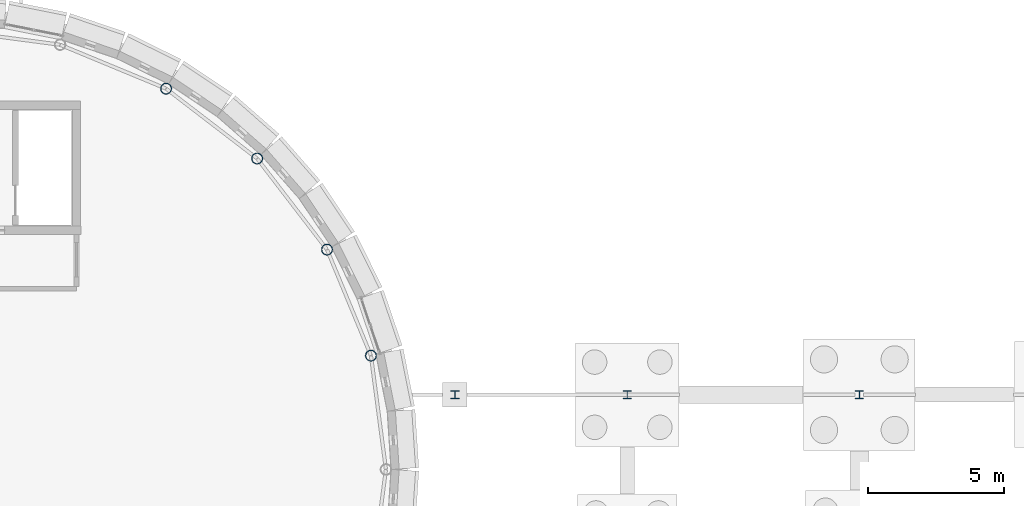
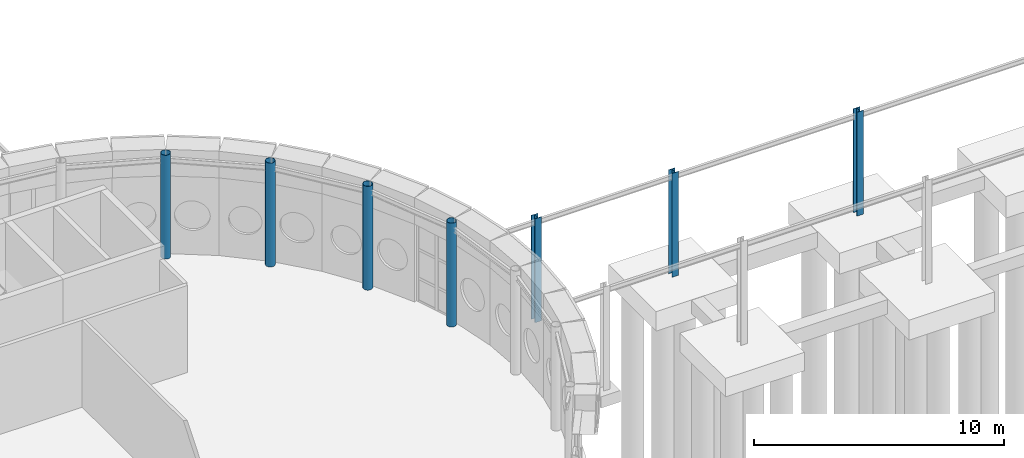
# One storey, part 12 of 109: 7 columns.
"""IFC4 building model written with IfcOpenShell, lengths in metres."""

from ifc_helpers import new_model, si_unit, direction, frame, origin, origin_2d, place, context, subcontext, project, spatial, hollow_circle, i_section, extrude, material, material_profile, profile_set, type_object, element, save


model = new_model("IFC4")

# Units and contexts
model_context = context("Model", 3, precision=1e-05, world=origin(), true_north=direction((0.0, 1.0)))
body_context = subcontext(model_context, "Body", "Model", "MODEL_VIEW")
ifc_project = project(units=[si_unit("LENGTHUNIT", "METRE"), si_unit("AREAUNIT", "SQUARE_METRE"), si_unit("VOLUMEUNIT", "CUBIC_METRE"), si_unit("PLANEANGLEUNIT", "RADIAN"), si_unit("MASSUNIT", "GRAM", prefix="KILO")], contexts=[model_context])

# Site, building, storey
site_placement = place(None, origin())
site = spatial("IfcSite", under=ifc_project, at=site_placement, CompositionType="ELEMENT")
building_placement = place(site_placement, origin())
building = spatial("IfcBuilding", under=site, at=building_placement, Name="Montecoro Central Library", CompositionType="ELEMENT")
storey_placement = place(building_placement, origin())
storey = spatial("IfcBuildingStorey", under=building, at=storey_placement, Name="L00", CompositionType="ELEMENT", Elevation=0.0)

# Columns
ifc_material_1 = material(Name="Steel S355J2", Category="steel")
ifc_material_profile_1 = material_profile(ifc_material_1, hollow_circle(Radius=0.203125, WallThickness=0.01611328125, at=origin_2d()), Name="CHS 406.4x16.0")
ifc_profile_set_1 = profile_set([ifc_material_profile_1], Name="Steel S355J2")
column_type_1 = type_object("IfcColumnType", Name="COL-CHS406", PredefinedType="COLUMN", material=ifc_profile_set_1)
for number, where, z_axis, x_axis, name in (
    (1, (107.22900390625, 39.587890625, 0.0), (0.0, 0.0, 1.0), (1.0, 0.0, 0.0), "V1-L00-DCOL-02"),
    (2, (105.612060546875, 43.489990234375, 0.0), (0.0, 0.0, 1.0), (1.0, 0.0, 0.0), "V1-L00-DCOL-03"),
    (3, (103.041015625, 46.841064453125, 0.0), (0.0, 0.0, 1.0), (1.0, 0.0, 0.0), "V1-L00-DCOL-04"),
    (4, (99.68994140625, 49.412109375, 0.0), (0.0, 0.0, 1.0), (1.0, 0.0, 0.0), "V1-L00-DCOL-05"),
):
    element("IfcColumn", number, at=place(storey_placement, frame(where, z_axis=z_axis, x_axis=x_axis)), inside=storey, type_object=column_type_1, Name=name, PredefinedType="COLUMN", context=body_context, shape_type="SweptSolid", body=[
        extrude(hollow_circle(Radius=0.203125, WallThickness=0.01611328125, at=origin_2d()), origin(), (0.0, 0.0, 1.0), 5.074951171875),
    ])
ifc_material_2 = material(Name="Steel S355", Category="steel")
ifc_material_profile_2 = material_profile(ifc_material_2, i_section(OverallWidth=0.300048828125, OverallDepth=0.300048828125, WebThickness=0.010986328125, FlangeThickness=0.01904296875, at=origin_2d()), Name="HEB 300")
ifc_profile_set_2 = profile_set([ifc_material_profile_2], Name="Steel S355")
column_type_2 = type_object("IfcColumnType", Name="COL-HEB300", PredefinedType="COLUMN", material=ifc_profile_set_2)
for number, where, z_axis, x_axis, name in (
    (5, (110.320068359375, 38.14990234375, 0.0), (0.0, 0.0, 1.0), (1.0, 0.0, 0.0), "BR-SE-L00-COL-1103-381"),
    (6, (116.659912109375, 38.14990234375, 0.0), (0.0, 0.0, 1.0), (1.0, 0.0, 0.0), "BR-SE-L00-COL-1166-381"),
    (7, (125.199951171875, 38.14990234375, 0.0), (0.0, 0.0, 1.0), (1.0, 0.0, 0.0), "BR-SE-L00-COL-1252-381"),
):
    element("IfcColumn", number, at=place(storey_placement, frame(where, z_axis=z_axis, x_axis=x_axis)), inside=storey, type_object=column_type_2, Name=name, PredefinedType="COLUMN", context=body_context, shape_type="SweptSolid", body=[
        extrude(i_section(OverallWidth=0.300048828125, OverallDepth=0.300048828125, WebThickness=0.010986328125, FlangeThickness=0.01904296875, at=origin_2d()), origin(), (0.0, 0.0, 1.0), 5.074951171875),
    ])

save(model, "model.ifc")
